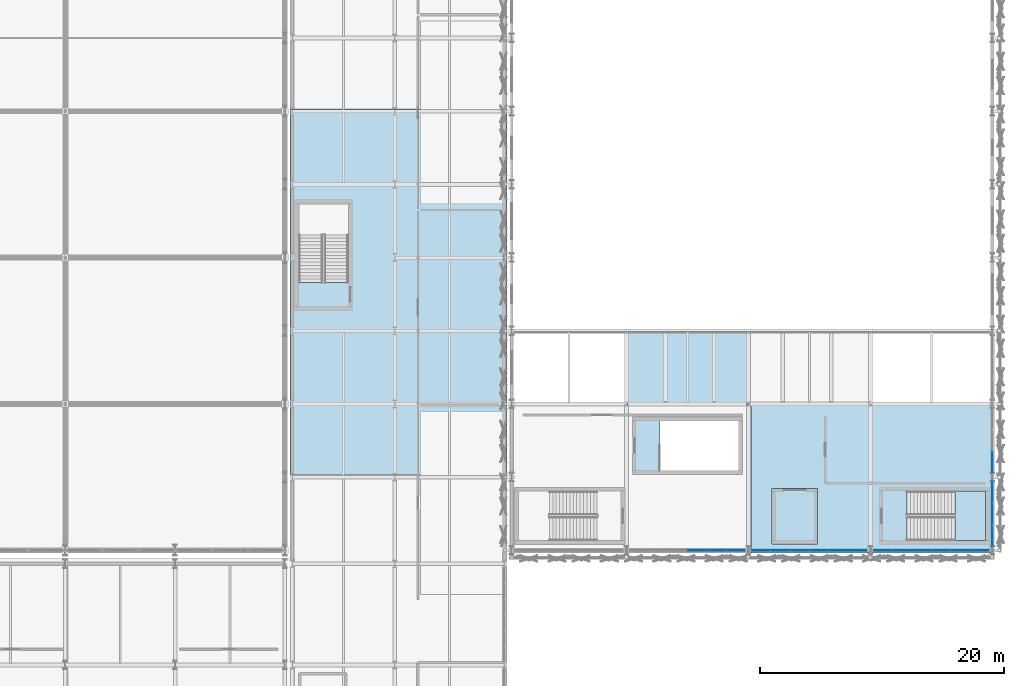
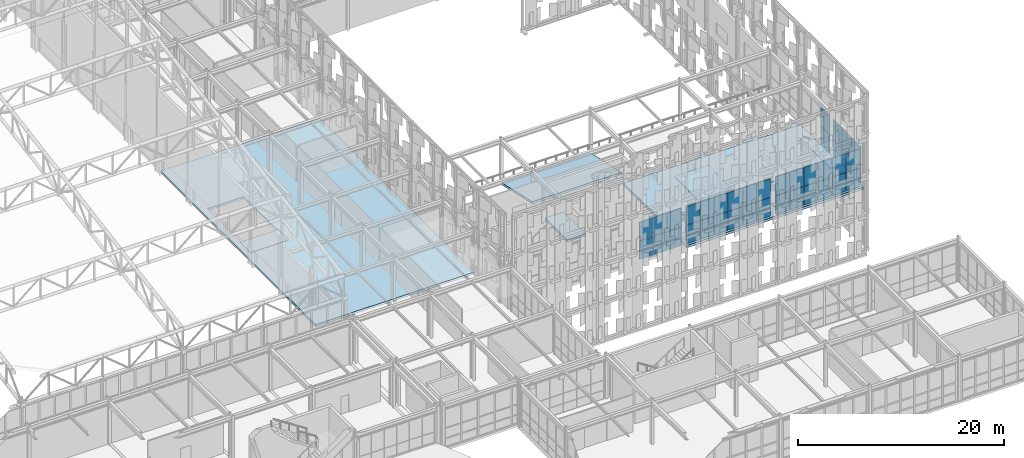
# One storey, part 195 of 239: 57 plates, 8 slabs, 6 elements without a shape of their own.
"""IFC4 building model written with IfcOpenShell, lengths in metres."""

from ifc_helpers import new_model, si_unit, direction, frame, origin, origin_2d, place, context, subcontext, project, spatial, polyline, rectangle, outline, extrude, material, layer, layer_set, type_object, element, aggregate, save


model = new_model("IFC4")

# Units and contexts
model_context = context("Model", 3, precision=1e-05, world=origin(), true_north=direction((0.0, 1.0)))
body_context = subcontext(model_context, "Body", "Model", "MODEL_VIEW")
ifc_project = project(units=[si_unit("LENGTHUNIT", "METRE"), si_unit("AREAUNIT", "SQUARE_METRE"), si_unit("VOLUMEUNIT", "CUBIC_METRE"), si_unit("PLANEANGLEUNIT", "RADIAN"), si_unit("MASSUNIT", "GRAM", prefix="KILO")], contexts=[model_context])

# Site, building, storey
site_placement = place(None, origin())
site = spatial("IfcSite", under=ifc_project, at=site_placement, CompositionType="ELEMENT")
building_placement = place(site_placement, origin())
building = spatial("IfcBuilding", under=site, at=building_placement, Name="Kaldris Quays Convention Centre", CompositionType="ELEMENT")
storey_placement = place(building_placement, frame((0.0, 0.0, 11.39990234375)))
storey = spatial("IfcBuildingStorey", under=building, at=storey_placement, Name="L02", CompositionType="ELEMENT", Elevation=11.39990234375)

# Curtain wall, plates
ifc_material_1 = material(Name="Anodized aluminium AW-6060 and triple glazing", Category="aluminium")
curtain_wall_type_1 = type_object("IfcCurtainWallType", Name="UNITISED CURTAIN WALL CW02", PredefinedType="NOTDEFINED", material=ifc_material_1)
curtain_wall_1_placement = place(storey_placement, origin())
curtain_wall_1 = element("IfcCurtainWall", 1, at=curtain_wall_1_placement, inside=storey, type_object=curtain_wall_type_1, Name="L02 Unitised Curtain Wall CW02 33", PredefinedType="NOTDEFINED")
ifc_material_2 = material(Name="Triple low-E insulated glazing", Category="glass")
plate_type_1 = type_object("IfcPlateType", Name="CURTAIN GLAZING PANEL CWP1", PredefinedType="CURTAIN_PANEL", material=ifc_material_2)
plate_1_placement = place(storey_placement, frame((204.0, 57.181640625, 0.06005859375), z_axis=(0.0, 0.0, 1.0), x_axis=(0.0, 1.0, 0.0)))
plate_1 = element("IfcPlate", 2, at=plate_1_placement, type_object=plate_type_1, Name="CW02 panel 1.1", PredefinedType="CURTAIN_PANEL", context=body_context, shape_type="SweptSolid", body=[
    extrude(rectangle(XDim=1.743408203125, YDim=0.029052734375, at=origin_2d()), origin(), (0.0, 0.0, 1.0), 0.9599609375),
])
plate_2_placement = place(storey_placement, frame((204.0, 57.181640625, 1.080078125), z_axis=(0.0, 0.0, 1.0), x_axis=(0.0, 1.0, 0.0)))
plate_2 = element("IfcPlate", 3, at=plate_2_placement, type_object=plate_type_1, Name="CW02 panel 1.2", PredefinedType="CURTAIN_PANEL", context=body_context, shape_type="SweptSolid", body=[
    extrude(rectangle(XDim=1.743408203125, YDim=0.029052734375, at=origin_2d()), origin(), (0.0, 0.0, 1.0), 1.1640625),
])
plate_3_placement = place(storey_placement, frame((204.0, 57.181640625, 2.303955078125), z_axis=(0.0, 0.0, 1.0), x_axis=(0.0, 1.0, 0.0)))
plate_3 = element("IfcPlate", 4, at=plate_3_placement, type_object=plate_type_1, Name="CW02 panel 1.3", PredefinedType="CURTAIN_PANEL", context=body_context, shape_type="SweptSolid", body=[
    extrude(rectangle(XDim=1.743408203125, YDim=0.029052734375, at=origin_2d()), origin(), (0.0, 0.0, 1.0), 2.18408203125),
])
plate_4_placement = place(storey_placement, frame((204.0, 59.0, 0.06005859375), z_axis=(0.0, 0.0, 1.0), x_axis=(0.0, 1.0, 0.0)))
plate_4 = element("IfcPlate", 5, at=plate_4_placement, type_object=plate_type_1, Name="CW02 panel 2.1", PredefinedType="CURTAIN_PANEL", context=body_context, shape_type="SweptSolid", body=[
    extrude(rectangle(XDim=1.7734375, YDim=0.029052734375, at=origin_2d()), origin(), (0.0, 0.0, 1.0), 0.9599609375),
])
plate_5_placement = place(storey_placement, frame((204.0, 59.0, 1.080078125), z_axis=(0.0, 0.0, 1.0), x_axis=(0.0, 1.0, 0.0)))
plate_5 = element("IfcPlate", 6, at=plate_5_placement, type_object=plate_type_1, Name="CW02 panel 2.2", PredefinedType="CURTAIN_PANEL", context=body_context, shape_type="SweptSolid", body=[
    extrude(rectangle(XDim=1.7734375, YDim=0.029052734375, at=origin_2d()), origin(), (0.0, 0.0, 1.0), 1.1640625),
])
plate_6_placement = place(storey_placement, frame((204.0, 59.0, 2.303955078125), z_axis=(0.0, 0.0, 1.0), x_axis=(0.0, 1.0, 0.0)))
plate_6 = element("IfcPlate", 7, at=plate_6_placement, type_object=plate_type_1, Name="CW02 panel 2.3", PredefinedType="CURTAIN_PANEL", context=body_context, shape_type="SweptSolid", body=[
    extrude(rectangle(XDim=1.7734375, YDim=0.029052734375, at=origin_2d()), origin(), (0.0, 0.0, 1.0), 2.18408203125),
])
plate_7_placement = place(storey_placement, frame((204.0, 60.818359375, 0.06005859375), z_axis=(0.0, 0.0, 1.0), x_axis=(0.0, 1.0, 0.0)))
plate_7 = element("IfcPlate", 8, at=plate_7_placement, type_object=plate_type_1, Name="CW02 panel 3.1", PredefinedType="CURTAIN_PANEL", context=body_context, shape_type="SweptSolid", body=[
    extrude(rectangle(XDim=1.743408203125, YDim=0.029052734375, at=origin_2d()), origin(), (0.0, 0.0, 1.0), 0.9599609375),
])
plate_8_placement = place(storey_placement, frame((204.0, 60.818359375, 1.080078125), z_axis=(0.0, 0.0, 1.0), x_axis=(0.0, 1.0, 0.0)))
plate_8 = element("IfcPlate", 9, at=plate_8_placement, type_object=plate_type_1, Name="CW02 panel 3.2", PredefinedType="CURTAIN_PANEL", context=body_context, shape_type="SweptSolid", body=[
    extrude(rectangle(XDim=1.743408203125, YDim=0.029052734375, at=origin_2d()), origin(), (0.0, 0.0, 1.0), 1.1640625),
])
plate_9_placement = place(storey_placement, frame((204.0, 60.818359375, 2.303955078125), z_axis=(0.0, 0.0, 1.0), x_axis=(0.0, 1.0, 0.0)))
plate_9 = element("IfcPlate", 10, at=plate_9_placement, type_object=plate_type_1, Name="CW02 panel 3.3", PredefinedType="CURTAIN_PANEL", context=body_context, shape_type="SweptSolid", body=[
    extrude(rectangle(XDim=1.743408203125, YDim=0.029052734375, at=origin_2d()), origin(), (0.0, 0.0, 1.0), 2.18408203125),
])
aggregate(curtain_wall_1, [plate_1, plate_2, plate_3, plate_4, plate_5, plate_6, plate_7, plate_8, plate_9])

curtain_wall_2_placement = place(storey_placement, origin())
curtain_wall_2 = element("IfcCurtainWall", 11, at=curtain_wall_2_placement, inside=storey, type_object=curtain_wall_type_1, Name="L02 Unitised Curtain Wall CW02 34", PredefinedType="NOTDEFINED")
plate_type_2 = type_object("IfcPlateType", Name="CURTAIN GLAZING PANEL CWP2", PredefinedType="CURTAIN_PANEL", material=ifc_material_2)
plate_10_placement = place(storey_placement, frame((204.0, 63.181640625, 0.06005859375), z_axis=(0.0, 0.0, 1.0), x_axis=(0.0, 1.0, 0.0)))
plate_10 = element("IfcPlate", 12, at=plate_10_placement, type_object=plate_type_2, Name="CW02 panel 1.1", PredefinedType="CURTAIN_PANEL", context=body_context, shape_type="SweptSolid", body=[
    extrude(rectangle(XDim=1.743408203125, YDim=0.033935546875, at=origin_2d()), origin(), (0.0, 0.0, 1.0), 0.9599609375),
])
plate_11_placement = place(storey_placement, frame((204.0, 63.181640625, 1.080078125), z_axis=(0.0, 0.0, 1.0), x_axis=(0.0, 1.0, 0.0)))
plate_11 = element("IfcPlate", 13, at=plate_11_placement, type_object=plate_type_2, Name="CW02 panel 1.2", PredefinedType="CURTAIN_PANEL", context=body_context, shape_type="SweptSolid", body=[
    extrude(rectangle(XDim=1.743408203125, YDim=0.033935546875, at=origin_2d()), origin(), (0.0, 0.0, 1.0), 1.1640625),
])
plate_12_placement = place(storey_placement, frame((204.0, 63.181640625, 2.303955078125), z_axis=(0.0, 0.0, 1.0), x_axis=(0.0, 1.0, 0.0)))
plate_12 = element("IfcPlate", 14, at=plate_12_placement, type_object=plate_type_2, Name="CW02 panel 1.3", PredefinedType="CURTAIN_PANEL", context=body_context, shape_type="SweptSolid", body=[
    extrude(rectangle(XDim=1.743408203125, YDim=0.033935546875, at=origin_2d()), origin(), (0.0, 0.0, 1.0), 2.18408203125),
])
aggregate(curtain_wall_2, [plate_10, plate_11, plate_12])

curtain_wall_type_2 = type_object("IfcCurtainWallType", Name="UNITISED CURTAIN WALL CW01", PredefinedType="NOTDEFINED", material=ifc_material_1)
curtain_wall_3_placement = place(storey_placement, origin())
curtain_wall_3 = element("IfcCurtainWall", 15, at=curtain_wall_3_placement, inside=storey, type_object=curtain_wall_type_2, Name="L02 Unitised Curtain Wall CW01 30", PredefinedType="NOTDEFINED")
plate_type_3 = type_object("IfcPlateType", Name="CURTAIN GLAZING PANEL CWP6", PredefinedType="CURTAIN_PANEL", material=ifc_material_2)
plate_13_placement = place(storey_placement, frame((179.791748046875, 56.0, 0.06005859375), z_axis=(0.0, 0.0, 1.0), x_axis=(1.0, 0.0, 0.0)))
plate_13 = element("IfcPlate", 16, at=plate_13_placement, type_object=plate_type_3, Name="CW01 panel 4.1", PredefinedType="CURTAIN_PANEL", context=body_context, shape_type="SweptSolid", body=[
    extrude(rectangle(XDim=1.5234375, YDim=0.053955078125, at=origin_2d()), origin(), (0.0, 0.0, 1.0), 0.9599609375),
])
plate_14_placement = place(storey_placement, frame((179.791748046875, 56.0, 1.080078125), z_axis=(0.0, 0.0, 1.0), x_axis=(1.0, 0.0, 0.0)))
plate_14 = element("IfcPlate", 17, at=plate_14_placement, type_object=plate_type_3, Name="CW01 panel 4.2", PredefinedType="CURTAIN_PANEL", context=body_context, shape_type="SweptSolid", body=[
    extrude(rectangle(XDim=1.5234375, YDim=0.053955078125, at=origin_2d()), origin(), (0.0, 0.0, 1.0), 1.1640625),
])
plate_15_placement = place(storey_placement, frame((179.791748046875, 56.0, 2.303955078125), z_axis=(0.0, 0.0, 1.0), x_axis=(1.0, 0.0, 0.0)))
plate_15 = element("IfcPlate", 18, at=plate_15_placement, type_object=plate_type_3, Name="CW01 panel 4.3", PredefinedType="CURTAIN_PANEL", context=body_context, shape_type="SweptSolid", body=[
    extrude(rectangle(XDim=1.5234375, YDim=0.053955078125, at=origin_2d()), origin(), (0.0, 0.0, 1.0), 2.18408203125),
])
plate_16_placement = place(storey_placement, frame((181.375, 56.0, 0.06005859375), z_axis=(0.0, 0.0, 1.0), x_axis=(1.0, 0.0, 0.0)))
plate_16 = element("IfcPlate", 19, at=plate_16_placement, type_object=plate_type_3, Name="CW01 panel 5.1", PredefinedType="CURTAIN_PANEL", context=body_context, shape_type="SweptSolid", body=[
    extrude(rectangle(XDim=1.5234375, YDim=0.053955078125, at=origin_2d()), origin(), (0.0, 0.0, 1.0), 0.9599609375),
])
plate_17_placement = place(storey_placement, frame((181.375, 56.0, 1.080078125), z_axis=(0.0, 0.0, 1.0), x_axis=(1.0, 0.0, 0.0)))
plate_17 = element("IfcPlate", 20, at=plate_17_placement, type_object=plate_type_3, Name="CW01 panel 5.2", PredefinedType="CURTAIN_PANEL", context=body_context, shape_type="SweptSolid", body=[
    extrude(rectangle(XDim=1.5234375, YDim=0.053955078125, at=origin_2d()), origin(), (0.0, 0.0, 1.0), 1.1640625),
])
plate_18_placement = place(storey_placement, frame((181.375, 56.0, 2.303955078125), z_axis=(0.0, 0.0, 1.0), x_axis=(1.0, 0.0, 0.0)))
plate_18 = element("IfcPlate", 21, at=plate_18_placement, type_object=plate_type_3, Name="CW01 panel 5.3", PredefinedType="CURTAIN_PANEL", context=body_context, shape_type="SweptSolid", body=[
    extrude(rectangle(XDim=1.5234375, YDim=0.053955078125, at=origin_2d()), origin(), (0.0, 0.0, 1.0), 2.18408203125),
])
plate_19_placement = place(storey_placement, frame((182.943359375, 56.0, 0.06005859375), z_axis=(0.0, 0.0, 1.0), x_axis=(1.0, 0.0, 0.0)))
plate_19 = element("IfcPlate", 22, at=plate_19_placement, type_object=plate_type_3, Name="CW01 panel 6.1", PredefinedType="CURTAIN_PANEL", context=body_context, shape_type="SweptSolid", body=[
    extrude(rectangle(XDim=1.493408203125, YDim=0.053955078125, at=origin_2d()), origin(), (0.0, 0.0, 1.0), 0.9599609375),
])
plate_20_placement = place(storey_placement, frame((182.943359375, 56.0, 1.080078125), z_axis=(0.0, 0.0, 1.0), x_axis=(1.0, 0.0, 0.0)))
plate_20 = element("IfcPlate", 23, at=plate_20_placement, type_object=plate_type_3, Name="CW01 panel 6.2", PredefinedType="CURTAIN_PANEL", context=body_context, shape_type="SweptSolid", body=[
    extrude(rectangle(XDim=1.493408203125, YDim=0.053955078125, at=origin_2d()), origin(), (0.0, 0.0, 1.0), 1.1640625),
])
plate_21_placement = place(storey_placement, frame((182.943359375, 56.0, 2.303955078125), z_axis=(0.0, 0.0, 1.0), x_axis=(1.0, 0.0, 0.0)))
plate_21 = element("IfcPlate", 24, at=plate_21_placement, type_object=plate_type_3, Name="CW01 panel 6.3", PredefinedType="CURTAIN_PANEL", context=body_context, shape_type="SweptSolid", body=[
    extrude(rectangle(XDim=1.493408203125, YDim=0.053955078125, at=origin_2d()), origin(), (0.0, 0.0, 1.0), 2.18408203125),
])
aggregate(curtain_wall_3, [plate_13, plate_14, plate_15, plate_16, plate_17, plate_18, plate_19, plate_20, plate_21])

curtain_wall_4_placement = place(storey_placement, origin())
curtain_wall_4 = element("IfcCurtainWall", 25, at=curtain_wall_4_placement, inside=storey, type_object=curtain_wall_type_2, Name="L02 Unitised Curtain Wall CW01 31", PredefinedType="NOTDEFINED")
plate_type_4 = type_object("IfcPlateType", Name="CURTAIN GLAZING PANEL CWP7", PredefinedType="CURTAIN_PANEL", material=ifc_material_2)
plate_22_placement = place(storey_placement, frame((185.056640625, 56.0, 0.06005859375), z_axis=(0.0, 0.0, 1.0), x_axis=(1.0, 0.0, 0.0)))
plate_22 = element("IfcPlate", 26, at=plate_22_placement, type_object=plate_type_4, Name="CW01 panel 1.1", PredefinedType="CURTAIN_PANEL", context=body_context, shape_type="SweptSolid", body=[
    extrude(rectangle(XDim=1.493408203125, YDim=0.05908203125, at=origin_2d()), origin(), (0.0, 0.0, 1.0), 0.9599609375),
])
plate_23_placement = place(storey_placement, frame((185.056640625, 56.0, 1.080078125), z_axis=(0.0, 0.0, 1.0), x_axis=(1.0, 0.0, 0.0)))
plate_23 = element("IfcPlate", 27, at=plate_23_placement, type_object=plate_type_4, Name="CW01 panel 1.2", PredefinedType="CURTAIN_PANEL", context=body_context, shape_type="SweptSolid", body=[
    extrude(rectangle(XDim=1.493408203125, YDim=0.05908203125, at=origin_2d()), origin(), (0.0, 0.0, 1.0), 1.1640625),
])
plate_24_placement = place(storey_placement, frame((185.056640625, 56.0, 2.303955078125), z_axis=(0.0, 0.0, 1.0), x_axis=(1.0, 0.0, 0.0)))
plate_24 = element("IfcPlate", 28, at=plate_24_placement, type_object=plate_type_4, Name="CW01 panel 1.3", PredefinedType="CURTAIN_PANEL", context=body_context, shape_type="SweptSolid", body=[
    extrude(rectangle(XDim=1.493408203125, YDim=0.05908203125, at=origin_2d()), origin(), (0.0, 0.0, 1.0), 2.18408203125),
])
plate_25_placement = place(storey_placement, frame((186.625, 56.0, 0.06005859375), z_axis=(0.0, 0.0, 1.0), x_axis=(1.0, 0.0, 0.0)))
plate_25 = element("IfcPlate", 29, at=plate_25_placement, type_object=plate_type_4, Name="CW01 panel 2.1", PredefinedType="CURTAIN_PANEL", context=body_context, shape_type="SweptSolid", body=[
    extrude(rectangle(XDim=1.5234375, YDim=0.05908203125, at=origin_2d()), origin(), (0.0, 0.0, 1.0), 0.9599609375),
])
plate_26_placement = place(storey_placement, frame((186.625, 56.0, 1.080078125), z_axis=(0.0, 0.0, 1.0), x_axis=(1.0, 0.0, 0.0)))
plate_26 = element("IfcPlate", 30, at=plate_26_placement, type_object=plate_type_4, Name="CW01 panel 2.2", PredefinedType="CURTAIN_PANEL", context=body_context, shape_type="SweptSolid", body=[
    extrude(rectangle(XDim=1.5234375, YDim=0.05908203125, at=origin_2d()), origin(), (0.0, 0.0, 1.0), 1.1640625),
])
plate_27_placement = place(storey_placement, frame((186.625, 56.0, 2.303955078125), z_axis=(0.0, 0.0, 1.0), x_axis=(1.0, 0.0, 0.0)))
plate_27 = element("IfcPlate", 31, at=plate_27_placement, type_object=plate_type_4, Name="CW01 panel 2.3", PredefinedType="CURTAIN_PANEL", context=body_context, shape_type="SweptSolid", body=[
    extrude(rectangle(XDim=1.5234375, YDim=0.05908203125, at=origin_2d()), origin(), (0.0, 0.0, 1.0), 2.18408203125),
])
plate_28_placement = place(storey_placement, frame((188.208251953125, 56.0, 0.06005859375), z_axis=(0.0, 0.0, 1.0), x_axis=(1.0, 0.0, 0.0)))
plate_28 = element("IfcPlate", 32, at=plate_28_placement, type_object=plate_type_4, Name="CW01 panel 3.1", PredefinedType="CURTAIN_PANEL", context=body_context, shape_type="SweptSolid", body=[
    extrude(rectangle(XDim=1.5234375, YDim=0.05908203125, at=origin_2d()), origin(), (0.0, 0.0, 1.0), 0.9599609375),
])
plate_29_placement = place(storey_placement, frame((188.208251953125, 56.0, 1.080078125), z_axis=(0.0, 0.0, 1.0), x_axis=(1.0, 0.0, 0.0)))
plate_29 = element("IfcPlate", 33, at=plate_29_placement, type_object=plate_type_4, Name="CW01 panel 3.2", PredefinedType="CURTAIN_PANEL", context=body_context, shape_type="SweptSolid", body=[
    extrude(rectangle(XDim=1.5234375, YDim=0.05908203125, at=origin_2d()), origin(), (0.0, 0.0, 1.0), 1.1640625),
])
plate_30_placement = place(storey_placement, frame((188.208251953125, 56.0, 2.303955078125), z_axis=(0.0, 0.0, 1.0), x_axis=(1.0, 0.0, 0.0)))
plate_30 = element("IfcPlate", 34, at=plate_30_placement, type_object=plate_type_4, Name="CW01 panel 3.3", PredefinedType="CURTAIN_PANEL", context=body_context, shape_type="SweptSolid", body=[
    extrude(rectangle(XDim=1.5234375, YDim=0.05908203125, at=origin_2d()), origin(), (0.0, 0.0, 1.0), 2.18408203125),
])
plate_31_placement = place(storey_placement, frame((189.791748046875, 56.0, 0.06005859375), z_axis=(0.0, 0.0, 1.0), x_axis=(1.0, 0.0, 0.0)))
plate_31 = element("IfcPlate", 35, at=plate_31_placement, type_object=plate_type_4, Name="CW01 panel 4.1", PredefinedType="CURTAIN_PANEL", context=body_context, shape_type="SweptSolid", body=[
    extrude(rectangle(XDim=1.5234375, YDim=0.05908203125, at=origin_2d()), origin(), (0.0, 0.0, 1.0), 0.9599609375),
])
plate_32_placement = place(storey_placement, frame((189.791748046875, 56.0, 1.080078125), z_axis=(0.0, 0.0, 1.0), x_axis=(1.0, 0.0, 0.0)))
plate_32 = element("IfcPlate", 36, at=plate_32_placement, type_object=plate_type_4, Name="CW01 panel 4.2", PredefinedType="CURTAIN_PANEL", context=body_context, shape_type="SweptSolid", body=[
    extrude(rectangle(XDim=1.5234375, YDim=0.05908203125, at=origin_2d()), origin(), (0.0, 0.0, 1.0), 1.1640625),
])
plate_33_placement = place(storey_placement, frame((189.791748046875, 56.0, 2.303955078125), z_axis=(0.0, 0.0, 1.0), x_axis=(1.0, 0.0, 0.0)))
plate_33 = element("IfcPlate", 37, at=plate_33_placement, type_object=plate_type_4, Name="CW01 panel 4.3", PredefinedType="CURTAIN_PANEL", context=body_context, shape_type="SweptSolid", body=[
    extrude(rectangle(XDim=1.5234375, YDim=0.05908203125, at=origin_2d()), origin(), (0.0, 0.0, 1.0), 2.18408203125),
])
plate_34_placement = place(storey_placement, frame((191.375, 56.0, 0.06005859375), z_axis=(0.0, 0.0, 1.0), x_axis=(1.0, 0.0, 0.0)))
plate_34 = element("IfcPlate", 38, at=plate_34_placement, type_object=plate_type_4, Name="CW01 panel 5.1", PredefinedType="CURTAIN_PANEL", context=body_context, shape_type="SweptSolid", body=[
    extrude(rectangle(XDim=1.5234375, YDim=0.05908203125, at=origin_2d()), origin(), (0.0, 0.0, 1.0), 0.9599609375),
])
plate_35_placement = place(storey_placement, frame((191.375, 56.0, 1.080078125), z_axis=(0.0, 0.0, 1.0), x_axis=(1.0, 0.0, 0.0)))
plate_35 = element("IfcPlate", 39, at=plate_35_placement, type_object=plate_type_4, Name="CW01 panel 5.2", PredefinedType="CURTAIN_PANEL", context=body_context, shape_type="SweptSolid", body=[
    extrude(rectangle(XDim=1.5234375, YDim=0.05908203125, at=origin_2d()), origin(), (0.0, 0.0, 1.0), 1.1640625),
])
plate_36_placement = place(storey_placement, frame((191.375, 56.0, 2.303955078125), z_axis=(0.0, 0.0, 1.0), x_axis=(1.0, 0.0, 0.0)))
plate_36 = element("IfcPlate", 40, at=plate_36_placement, type_object=plate_type_4, Name="CW01 panel 5.3", PredefinedType="CURTAIN_PANEL", context=body_context, shape_type="SweptSolid", body=[
    extrude(rectangle(XDim=1.5234375, YDim=0.05908203125, at=origin_2d()), origin(), (0.0, 0.0, 1.0), 2.18408203125),
])
plate_37_placement = place(storey_placement, frame((192.943359375, 56.0, 0.06005859375), z_axis=(0.0, 0.0, 1.0), x_axis=(1.0, 0.0, 0.0)))
plate_37 = element("IfcPlate", 41, at=plate_37_placement, type_object=plate_type_4, Name="CW01 panel 6.1", PredefinedType="CURTAIN_PANEL", context=body_context, shape_type="SweptSolid", body=[
    extrude(rectangle(XDim=1.493408203125, YDim=0.05908203125, at=origin_2d()), origin(), (0.0, 0.0, 1.0), 0.9599609375),
])
plate_38_placement = place(storey_placement, frame((192.943359375, 56.0, 1.080078125), z_axis=(0.0, 0.0, 1.0), x_axis=(1.0, 0.0, 0.0)))
plate_38 = element("IfcPlate", 42, at=plate_38_placement, type_object=plate_type_4, Name="CW01 panel 6.2", PredefinedType="CURTAIN_PANEL", context=body_context, shape_type="SweptSolid", body=[
    extrude(rectangle(XDim=1.493408203125, YDim=0.05908203125, at=origin_2d()), origin(), (0.0, 0.0, 1.0), 1.1640625),
])
plate_39_placement = place(storey_placement, frame((192.943359375, 56.0, 2.303955078125), z_axis=(0.0, 0.0, 1.0), x_axis=(1.0, 0.0, 0.0)))
plate_39 = element("IfcPlate", 43, at=plate_39_placement, type_object=plate_type_4, Name="CW01 panel 6.3", PredefinedType="CURTAIN_PANEL", context=body_context, shape_type="SweptSolid", body=[
    extrude(rectangle(XDim=1.493408203125, YDim=0.05908203125, at=origin_2d()), origin(), (0.0, 0.0, 1.0), 2.18408203125),
])
aggregate(curtain_wall_4, [plate_22, plate_23, plate_24, plate_25, plate_26, plate_27, plate_28, plate_29, plate_30, plate_31, plate_32, plate_33, plate_34, plate_35, plate_36, plate_37, plate_38, plate_39])

curtain_wall_5_placement = place(storey_placement, origin())
curtain_wall_5 = element("IfcCurtainWall", 44, at=curtain_wall_5_placement, inside=storey, type_object=curtain_wall_type_2, Name="L02 Unitised Curtain Wall CW01 32", PredefinedType="NOTDEFINED")
plate_type_5 = type_object("IfcPlateType", Name="CURTAIN GLAZING PANEL CWP8", PredefinedType="CURTAIN_PANEL", material=ifc_material_2)
plate_40_placement = place(storey_placement, frame((195.056640625, 56.0, 0.06005859375), z_axis=(0.0, 0.0, 1.0), x_axis=(1.0, 0.0, 0.0)))
plate_40 = element("IfcPlate", 45, at=plate_40_placement, type_object=plate_type_5, Name="CW01 panel 1.1", PredefinedType="CURTAIN_PANEL", context=body_context, shape_type="SweptSolid", body=[
    extrude(rectangle(XDim=1.493408203125, YDim=0.06396484375, at=origin_2d()), origin(), (0.0, 0.0, 1.0), 0.9599609375),
])
plate_41_placement = place(storey_placement, frame((195.056640625, 56.0, 1.080078125), z_axis=(0.0, 0.0, 1.0), x_axis=(1.0, 0.0, 0.0)))
plate_41 = element("IfcPlate", 46, at=plate_41_placement, type_object=plate_type_5, Name="CW01 panel 1.2", PredefinedType="CURTAIN_PANEL", context=body_context, shape_type="SweptSolid", body=[
    extrude(rectangle(XDim=1.493408203125, YDim=0.06396484375, at=origin_2d()), origin(), (0.0, 0.0, 1.0), 1.1640625),
])
plate_42_placement = place(storey_placement, frame((195.056640625, 56.0, 2.303955078125), z_axis=(0.0, 0.0, 1.0), x_axis=(1.0, 0.0, 0.0)))
plate_42 = element("IfcPlate", 47, at=plate_42_placement, type_object=plate_type_5, Name="CW01 panel 1.3", PredefinedType="CURTAIN_PANEL", context=body_context, shape_type="SweptSolid", body=[
    extrude(rectangle(XDim=1.493408203125, YDim=0.06396484375, at=origin_2d()), origin(), (0.0, 0.0, 1.0), 2.18408203125),
])
plate_43_placement = place(storey_placement, frame((196.625, 56.0, 0.06005859375), z_axis=(0.0, 0.0, 1.0), x_axis=(1.0, 0.0, 0.0)))
plate_43 = element("IfcPlate", 48, at=plate_43_placement, type_object=plate_type_5, Name="CW01 panel 2.1", PredefinedType="CURTAIN_PANEL", context=body_context, shape_type="SweptSolid", body=[
    extrude(rectangle(XDim=1.5234375, YDim=0.06396484375, at=origin_2d()), origin(), (0.0, 0.0, 1.0), 0.9599609375),
])
plate_44_placement = place(storey_placement, frame((196.625, 56.0, 1.080078125), z_axis=(0.0, 0.0, 1.0), x_axis=(1.0, 0.0, 0.0)))
plate_44 = element("IfcPlate", 49, at=plate_44_placement, type_object=plate_type_5, Name="CW01 panel 2.2", PredefinedType="CURTAIN_PANEL", context=body_context, shape_type="SweptSolid", body=[
    extrude(rectangle(XDim=1.5234375, YDim=0.06396484375, at=origin_2d()), origin(), (0.0, 0.0, 1.0), 1.1640625),
])
plate_45_placement = place(storey_placement, frame((196.625, 56.0, 2.303955078125), z_axis=(0.0, 0.0, 1.0), x_axis=(1.0, 0.0, 0.0)))
plate_45 = element("IfcPlate", 50, at=plate_45_placement, type_object=plate_type_5, Name="CW01 panel 2.3", PredefinedType="CURTAIN_PANEL", context=body_context, shape_type="SweptSolid", body=[
    extrude(rectangle(XDim=1.5234375, YDim=0.06396484375, at=origin_2d()), origin(), (0.0, 0.0, 1.0), 2.18408203125),
])
plate_46_placement = place(storey_placement, frame((198.208251953125, 56.0, 0.06005859375), z_axis=(0.0, 0.0, 1.0), x_axis=(1.0, 0.0, 0.0)))
plate_46 = element("IfcPlate", 51, at=plate_46_placement, type_object=plate_type_5, Name="CW01 panel 3.1", PredefinedType="CURTAIN_PANEL", context=body_context, shape_type="SweptSolid", body=[
    extrude(rectangle(XDim=1.5234375, YDim=0.06396484375, at=origin_2d()), origin(), (0.0, 0.0, 1.0), 0.9599609375),
])
plate_47_placement = place(storey_placement, frame((198.208251953125, 56.0, 1.080078125), z_axis=(0.0, 0.0, 1.0), x_axis=(1.0, 0.0, 0.0)))
plate_47 = element("IfcPlate", 52, at=plate_47_placement, type_object=plate_type_5, Name="CW01 panel 3.2", PredefinedType="CURTAIN_PANEL", context=body_context, shape_type="SweptSolid", body=[
    extrude(rectangle(XDim=1.5234375, YDim=0.06396484375, at=origin_2d()), origin(), (0.0, 0.0, 1.0), 1.1640625),
])
plate_48_placement = place(storey_placement, frame((198.208251953125, 56.0, 2.303955078125), z_axis=(0.0, 0.0, 1.0), x_axis=(1.0, 0.0, 0.0)))
plate_48 = element("IfcPlate", 53, at=plate_48_placement, type_object=plate_type_5, Name="CW01 panel 3.3", PredefinedType="CURTAIN_PANEL", context=body_context, shape_type="SweptSolid", body=[
    extrude(rectangle(XDim=1.5234375, YDim=0.06396484375, at=origin_2d()), origin(), (0.0, 0.0, 1.0), 2.18408203125),
])
plate_49_placement = place(storey_placement, frame((199.791748046875, 56.0, 0.06005859375), z_axis=(0.0, 0.0, 1.0), x_axis=(1.0, 0.0, 0.0)))
plate_49 = element("IfcPlate", 54, at=plate_49_placement, type_object=plate_type_5, Name="CW01 panel 4.1", PredefinedType="CURTAIN_PANEL", context=body_context, shape_type="SweptSolid", body=[
    extrude(rectangle(XDim=1.5234375, YDim=0.06396484375, at=origin_2d()), origin(), (0.0, 0.0, 1.0), 0.9599609375),
])
plate_50_placement = place(storey_placement, frame((199.791748046875, 56.0, 1.080078125), z_axis=(0.0, 0.0, 1.0), x_axis=(1.0, 0.0, 0.0)))
plate_50 = element("IfcPlate", 55, at=plate_50_placement, type_object=plate_type_5, Name="CW01 panel 4.2", PredefinedType="CURTAIN_PANEL", context=body_context, shape_type="SweptSolid", body=[
    extrude(rectangle(XDim=1.5234375, YDim=0.06396484375, at=origin_2d()), origin(), (0.0, 0.0, 1.0), 1.1640625),
])
plate_51_placement = place(storey_placement, frame((199.791748046875, 56.0, 2.303955078125), z_axis=(0.0, 0.0, 1.0), x_axis=(1.0, 0.0, 0.0)))
plate_51 = element("IfcPlate", 56, at=plate_51_placement, type_object=plate_type_5, Name="CW01 panel 4.3", PredefinedType="CURTAIN_PANEL", context=body_context, shape_type="SweptSolid", body=[
    extrude(rectangle(XDim=1.5234375, YDim=0.06396484375, at=origin_2d()), origin(), (0.0, 0.0, 1.0), 2.18408203125),
])
plate_52_placement = place(storey_placement, frame((201.375, 56.0, 0.06005859375), z_axis=(0.0, 0.0, 1.0), x_axis=(1.0, 0.0, 0.0)))
plate_52 = element("IfcPlate", 57, at=plate_52_placement, type_object=plate_type_5, Name="CW01 panel 5.1", PredefinedType="CURTAIN_PANEL", context=body_context, shape_type="SweptSolid", body=[
    extrude(rectangle(XDim=1.5234375, YDim=0.06396484375, at=origin_2d()), origin(), (0.0, 0.0, 1.0), 0.9599609375),
])
plate_53_placement = place(storey_placement, frame((201.375, 56.0, 1.080078125), z_axis=(0.0, 0.0, 1.0), x_axis=(1.0, 0.0, 0.0)))
plate_53 = element("IfcPlate", 58, at=plate_53_placement, type_object=plate_type_5, Name="CW01 panel 5.2", PredefinedType="CURTAIN_PANEL", context=body_context, shape_type="SweptSolid", body=[
    extrude(rectangle(XDim=1.5234375, YDim=0.06396484375, at=origin_2d()), origin(), (0.0, 0.0, 1.0), 1.1640625),
])
plate_54_placement = place(storey_placement, frame((201.375, 56.0, 2.303955078125), z_axis=(0.0, 0.0, 1.0), x_axis=(1.0, 0.0, 0.0)))
plate_54 = element("IfcPlate", 59, at=plate_54_placement, type_object=plate_type_5, Name="CW01 panel 5.3", PredefinedType="CURTAIN_PANEL", context=body_context, shape_type="SweptSolid", body=[
    extrude(rectangle(XDim=1.5234375, YDim=0.06396484375, at=origin_2d()), origin(), (0.0, 0.0, 1.0), 2.18408203125),
])
plate_55_placement = place(storey_placement, frame((202.943359375, 56.0, 0.06005859375), z_axis=(0.0, 0.0, 1.0), x_axis=(1.0, 0.0, 0.0)))
plate_55 = element("IfcPlate", 60, at=plate_55_placement, type_object=plate_type_5, Name="CW01 panel 6.1", PredefinedType="CURTAIN_PANEL", context=body_context, shape_type="SweptSolid", body=[
    extrude(rectangle(XDim=1.493408203125, YDim=0.06396484375, at=origin_2d()), origin(), (0.0, 0.0, 1.0), 0.9599609375),
])
plate_56_placement = place(storey_placement, frame((202.943359375, 56.0, 1.080078125), z_axis=(0.0, 0.0, 1.0), x_axis=(1.0, 0.0, 0.0)))
plate_56 = element("IfcPlate", 61, at=plate_56_placement, type_object=plate_type_5, Name="CW01 panel 6.2", PredefinedType="CURTAIN_PANEL", context=body_context, shape_type="SweptSolid", body=[
    extrude(rectangle(XDim=1.493408203125, YDim=0.06396484375, at=origin_2d()), origin(), (0.0, 0.0, 1.0), 1.1640625),
])
plate_57_placement = place(storey_placement, frame((202.943359375, 56.0, 2.303955078125), z_axis=(0.0, 0.0, 1.0), x_axis=(1.0, 0.0, 0.0)))
plate_57 = element("IfcPlate", 62, at=plate_57_placement, type_object=plate_type_5, Name="CW01 panel 6.3", PredefinedType="CURTAIN_PANEL", context=body_context, shape_type="SweptSolid", body=[
    extrude(rectangle(XDim=1.493408203125, YDim=0.06396484375, at=origin_2d()), origin(), (0.0, 0.0, 1.0), 2.18408203125),
])
aggregate(curtain_wall_5, [plate_40, plate_41, plate_42, plate_43, plate_44, plate_45, plate_46, plate_47, plate_48, plate_49, plate_50, plate_51, plate_52, plate_53, plate_54, plate_55, plate_56, plate_57])

# Stair, slab
ifc_material_3 = material(Name="Concrete C35/45", Category="concrete")
stair_type = type_object("IfcStairType", Name="DOGLEG ESCAPE STAIR STF1", PredefinedType="TWO_STRAIGHT_RUN_STAIR", material=ifc_material_3)
stair_placement = place(storey_placement, origin())
stair = element("IfcStair", 63, at=stair_placement, inside=storey, type_object=stair_type, Name="L02 Escape Stair ST09", PredefinedType="TWO_STRAIGHT_RUN_STAIR")
ifc_layer_1 = layer(ifc_material_3, 0.205078125)
ifc_layer_set_1 = layer_set([ifc_layer_1], Name="Concrete C35/45")
slab_type_1 = type_object("IfcSlabType", Name="STAIR LANDING SLAB LS01", PredefinedType="LANDING", material=ifc_layer_set_1)
slab_1_placement = place(storey_placement, frame((0.0, 0.0, 2.4951171875)))
slab_1 = element("IfcSlab", 64, at=slab_1_placement, type_object=slab_type_1, Name="STF1 landing 1", PredefinedType="LANDING", context=body_context, shape_type="SweptSolid", body=[
    extrude(outline(polyline([(200.919921875, 56.800048828125), (203.449951171875, 56.800048828125), (203.449951171875, 60.85009765625), (200.919921875, 60.85009765625), (200.919921875, 56.800048828125)])), origin(), (0.0, 0.0, 1.0), 0.205078125),
])
aggregate(stair, [slab_1])

# Slabs
ifc_layer_2 = layer(ifc_material_3, 0.294921875)
ifc_layer_set_2 = layer_set([ifc_layer_2], Name="Concrete C35/45")
slab_type_2 = type_object("IfcSlabType", Name="STRUCTURAL SLAB FS04", PredefinedType="FLOOR", material=ifc_layer_set_2)
slab_2_placement = place(storey_placement, frame((0.0, 0.0, -0.294921875)))
element("IfcSlab", 65, at=slab_2_placement, inside=storey, type_object=slab_type_2, Name="L02 V2 Upper Balcony B SLAB-L02-V2B", PredefinedType="FLOOR", context=body_context, shape_type="SweptSolid", body=[
    extrude(outline(polyline([(204.0, 68.0), (204.0, 55.800048828125), (184.201904296875, 55.800048828125), (184.201904296875, 68.0), (204.0, 68.0)]), holes=[polyline([(189.39990234375, 56.800048828125), (189.39990234375, 60.800048828125), (186.199951171875, 60.800048828125), (186.199951171875, 56.800048828125), (189.39990234375, 56.800048828125)]), polyline([(194.92822265625, 60.970703125), (194.92919921875, 56.67822265625), (197.000244140625, 56.677978515625), (197.001953125, 56.800048828125), (203.449951171875, 56.800048828125), (203.449951171875, 60.85009765625), (197.001953125, 60.85009765625), (197.000244140625, 60.971923828125), (194.92822265625, 60.970703125)])]), origin(), (0.0, 0.0, 1.0), 0.294921875),
])
ifc_layer_3 = layer(ifc_material_3, 0.27490234375)
ifc_layer_set_3 = layer_set([ifc_layer_3], Name="Concrete C35/45")
slab_type_3 = type_object("IfcSlabType", Name="STRUCTURAL SLAB FS05", PredefinedType="FLOOR", material=ifc_layer_set_3)
slab_3_placement = place(storey_placement, frame((0.0, 0.0, -0.27490234375)))
element("IfcSlab", 66, at=slab_3_placement, inside=storey, type_object=slab_type_3, Name="L02 ST09 Core Floor Landing Slab", PredefinedType="FLOOR", context=body_context, shape_type="SweptSolid", body=[
    extrude(outline(polyline([(194.929931640625, 56.679931640625), (197.0, 56.679931640625), (197.0, 60.969970703125), (194.929931640625, 60.969970703125), (194.929931640625, 56.679931640625)])), origin(), (0.0, 0.0, 1.0), 0.27490234375),
])
slab_4_placement = place(storey_placement, frame((0.0, 0.0, -0.27490234375)))
element("IfcSlab", 67, at=slab_4_placement, inside=storey, type_object=slab_type_3, Name="L02 ST10 Core Floor Landing Slab", PredefinedType="FLOOR", context=body_context, shape_type="SweptSolid", body=[
    extrude(outline(polyline([(174.679931640625, 62.429931640625), (176.75, 62.429931640625), (176.75, 66.719970703125), (174.679931640625, 66.719970703125), (174.679931640625, 62.429931640625)])), origin(), (0.0, 0.0, 1.0), 0.27490234375),
])
slab_5_placement = place(storey_placement, frame((0.0, 0.0, -0.27490234375)))
element("IfcSlab", 68, at=slab_5_placement, inside=storey, type_object=slab_type_3, Name="L02 ST14 Core Floor Landing Slab", PredefinedType="FLOOR", context=body_context, shape_type="SweptSolid", body=[
    extrude(outline(polyline([(151.320068359375, 75.8798828125), (151.320068359375, 77.949951171875), (147.030029296875, 77.949951171875), (147.030029296875, 75.8798828125), (151.320068359375, 75.8798828125)])), origin(), (0.0, 0.0, 1.0), 0.27490234375),
])
ifc_layer_4 = layer(ifc_material_3, 0.2548828125)
ifc_layer_set_4 = layer_set([ifc_layer_4], Name="Concrete C35/45")
slab_type_4 = type_object("IfcSlabType", Name="STRUCTURAL SLAB FS06", PredefinedType="FLOOR", material=ifc_layer_set_4)
slab_6_placement = place(storey_placement, frame((0.0, 0.0, -0.2548828125)))
element("IfcSlab", 69, at=slab_6_placement, inside=storey, type_object=slab_type_4, Name="L02 V4 L02 East 2 SLAB-L02-V4E-2", PredefinedType="FLOOR", context=body_context, shape_type="SweptSolid", body=[
    extrude(outline(polyline([(146.39990234375, 92.199951171875), (164.199951171875, 92.199951171875), (164.199951171875, 62.201904296875), (146.39990234375, 62.201904296875), (146.39990234375, 92.199951171875)]), holes=[polyline([(151.199951171875, 84.39990234375), (147.14990234375, 84.39990234375), (147.14990234375, 77.951904296875), (147.028076171875, 77.9501953125), (147.029052734375, 75.878173828125), (151.32177734375, 75.879150390625), (151.322021484375, 77.9501953125), (151.199951171875, 77.951904296875), (151.199951171875, 84.39990234375)])]), origin(), (0.0, 0.0, 1.0), 0.2548828125),
])
ifc_layer_5 = layer(ifc_material_3, 0.205078125)
ifc_layer_set_5 = layer_set([ifc_layer_5], Name="Concrete C35/45")
slab_type_5 = type_object("IfcSlabType", Name="STRUCTURAL SLAB RS01", PredefinedType="ROOF", material=ifc_layer_set_5)
slab_7_placement = place(storey_placement, frame((0.0, 0.0, 4.2001953125)))
element("IfcSlab", 70, at=slab_7_placement, inside=storey, type_object=slab_type_5, Name="GL02 Lift Overrun Cap Slab", PredefinedType="ROOF", context=body_context, shape_type="SweptSolid", body=[
    extrude(outline(polyline([(185.919921875, 56.52001953125), (189.679931640625, 56.52001953125), (189.679931640625, 61.080078125), (185.919921875, 61.080078125), (185.919921875, 56.52001953125)])), origin(), (0.0, 0.0, 1.0), 0.204833984375),
])
ifc_material_4 = material(Name="Precast concrete C40/50", Category="concrete")
ifc_layer_6 = layer(ifc_material_4, 0.248046875)
ifc_layer_set_6 = layer_set([ifc_layer_6], Name="Precast concrete C40/50")
slab_type_6 = type_object("IfcSlabType", Name="STRUCTURAL SLAB TS02", PredefinedType="USERDEFINED", material=ifc_layer_set_6)
slab_8_placement = place(storey_placement, frame((174.0, 68.0, 1.35009765625), z_axis=(0.0, 0.219527308966, 0.97560635536), x_axis=(1.0, 0.0, 0.0)))
element("IfcSlab", 71, at=slab_8_placement, inside=storey, type_object=slab_type_6, Name="Stand Upper Balcony Tier 1", ObjectType="SEATING TIER", PredefinedType="USERDEFINED", context=body_context, shape_type="SweptSolid", body=[
    extrude(outline(polyline([(0.0, 0.0), (10.0, 0.0), (10.0, 6.150021437475787), (0.0, 6.150021437475787), (0.0, 0.0)])), origin(), (0.0, 0.0, -1.0), 0.248046875),
])

save(model, "model.ifc")
